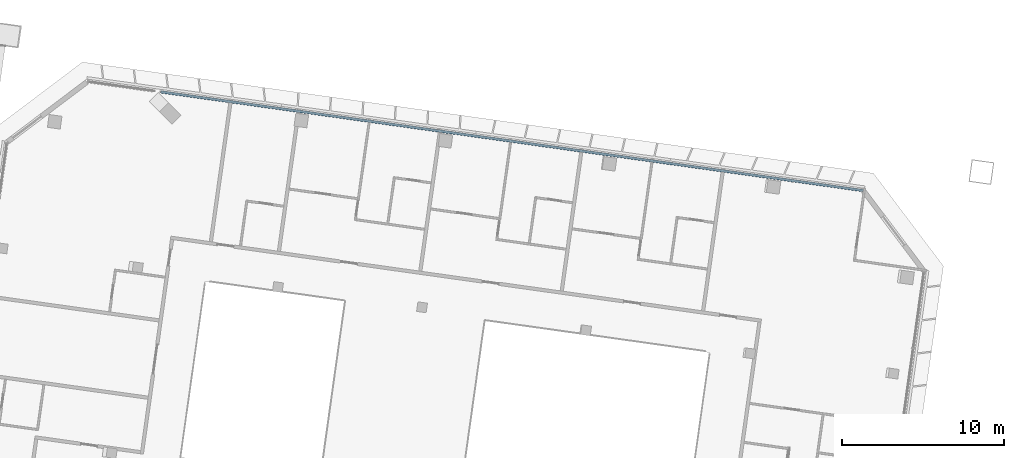
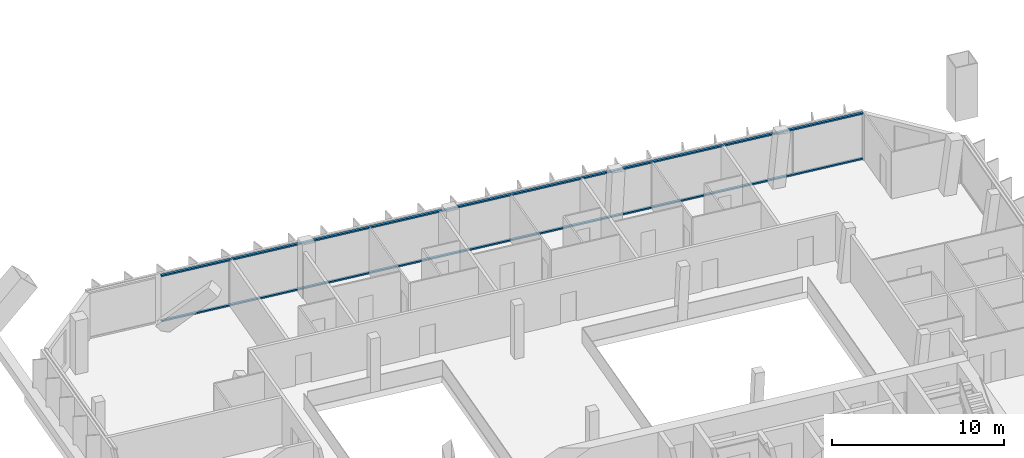
# One storey, part 7 of 29: 2 members, 1 element without a shape of its own.
"""IFC4 building model written with IfcOpenShell, lengths in metres."""

import ifcopenshell
import ifcopenshell.guid

model = None  # the IFC model being written
_history = None  # IfcOwnerHistory: only IFC2X3 demands one
_inside = {}  # id of a spatial element -> (the spatial element, [elements in it])
_under = {}  # id of a project, library or spatial element -> (it, [spatial elements below it])
_declared = {}  # id of a project -> (the project, [libraries it declares])
_typed = {}  # id of a type object -> (the type object, [elements of that type])
_made_of = {}  # id of a material, layer set ... -> (it, [elements and type objects made of it])


def new_model(schema):
    """Start an empty IFC model of exactly this schema.

    Asked for "IFC4X3", IfcOpenShell would pick the latest addendum, in which some entities
    have other attributes; the version numbers below select the first issue.
    IFC2X3 requires an IfcOwnerHistory on every rooted entity: one is made here for all.
    """
    global model, _history
    if schema == "IFC4X3":
        model = ifcopenshell.file(schema_version=(4, 3, 0, 0))
    else:
        model = ifcopenshell.file(schema=schema)
    _inside.clear()
    _under.clear()
    _declared.clear()
    _typed.clear()
    _made_of.clear()
    _history = None
    if model.schema == "IFC2X3":
        org = make("IfcOrganization", Name="unknown")
        user = make(
            "IfcPersonAndOrganization",
            ThePerson=make("IfcPerson", FamilyName="unknown"),
            TheOrganization=org,
        )
        app = make(
            "IfcApplication",
            ApplicationDeveloper=org,
            Version="unknown",
            ApplicationFullName="unknown",
            ApplicationIdentifier="unknown",
        )
        _history = make(
            "IfcOwnerHistory",
            OwningUser=user,
            OwningApplication=app,
            ChangeAction="ADDED",
            CreationDate=0,
        )
    return model


def make(cls, **values):
    """One entity of the class cls with the attributes given. An attribute that is None is left unset."""
    return model.create_entity(
        cls, **{name: value for name, value in values.items() if value is not None}
    )


def rooted(cls, **values):
    """An entity with a GlobalId (a new one), such as an element, a storey or a relation."""
    return make(cls, GlobalId=ifcopenshell.guid.new(), OwnerHistory=_history, **values)


def si_unit(unit_type, name, prefix=None):
    """IfcSIUnit, for example si_unit("LENGTHUNIT", "METRE", prefix="MILLI")."""
    return make("IfcSIUnit", UnitType=unit_type, Prefix=prefix, Name=name)


def assignment(units):
    """IfcUnitAssignment: the units of a project."""
    return None if units is None else make("IfcUnitAssignment", Units=units)


def point(xyz):
    """IfcCartesianPoint."""
    return None if xyz is None else make("IfcCartesianPoint", Coordinates=xyz)


def direction(xyz):
    """IfcDirection."""
    return None if xyz is None else make("IfcDirection", DirectionRatios=xyz)


def frame(location, z_axis=None, x_axis=None):
    """IfcAxis2Placement3D, a coordinate frame: its origin and axes. An axis left out is left unset."""
    return make(
        "IfcAxis2Placement3D",
        Location=point(location),
        Axis=direction(z_axis),
        RefDirection=direction(x_axis),
    )


def frame_2d(location, x_axis=None):
    """IfcAxis2Placement2D, a coordinate frame in the plane: its origin and x axis."""
    return make(
        "IfcAxis2Placement2D", Location=point(location), RefDirection=direction(x_axis)
    )


def origin():
    """The frame at (0, 0, 0) with its axes left unset."""
    return frame((0.0, 0.0, 0.0))


def origin_2d():
    """The frame at (0, 0) in the plane with its x axis left unset."""
    return frame_2d((0.0, 0.0))


def place(relative_to, where):
    """IfcLocalPlacement: puts the frame where relative to a parent placement (None: the world)."""
    return make(
        "IfcLocalPlacement", PlacementRelTo=relative_to, RelativePlacement=where
    )


def context(
    kind, dimensions, precision=None, world=None, true_north=None, identifier=None
):
    """IfcGeometricRepresentationContext, for example the 3D "Model" context."""
    return make(
        "IfcGeometricRepresentationContext",
        ContextIdentifier=identifier,
        ContextType=kind,
        CoordinateSpaceDimension=dimensions,
        Precision=precision,
        WorldCoordinateSystem=world,
        TrueNorth=true_north,
    )


def subcontext(parent, identifier, kind, view, scale=None):
    """IfcGeometricRepresentationSubContext, for example "Body" below "Model"."""
    return make(
        "IfcGeometricRepresentationSubContext",
        ContextIdentifier=identifier,
        ContextType=kind,
        ParentContext=parent,
        TargetScale=scale,
        TargetView=view,
    )


def project(units=None, contexts=None):
    """IfcProject with its units and contexts."""
    return rooted(
        "IfcProject",
        Name="project",
        RepresentationContexts=contexts,
        UnitsInContext=assignment(units),
    )


def spatial(cls, under=None, at=None, **own):
    """A site, building, storey or space (cls), placed at a placement, below another one or the project."""
    s = rooted(cls, ObjectPlacement=at, **own)
    if under is not None:
        _under.setdefault(under.id(), (under, []))[1].append(s)
    return s


def profile(cls, at=None, kind="AREA", **sizes):
    """A parametric profile (cls). Its sizes go by their IFC names, for example OverallWidth=200.0."""
    return make(cls, ProfileType=kind, Position=at, **sizes)


def rectangle(**sizes):
    """IfcRectangleProfileDef."""
    return profile("IfcRectangleProfileDef", **sizes)


def extrude(swept, where, along, depth):
    """IfcExtrudedAreaSolid: the profile swept, set in the frame where, extruded along a direction by depth."""
    return make(
        "IfcExtrudedAreaSolid",
        SweptArea=swept,
        Position=where,
        ExtrudedDirection=direction(along),
        Depth=depth,
    )


def shape(context_of_items, identifier, shape_type, items):
    """IfcShapeRepresentation: the items that make up one representation, for example the "Body"."""
    return make(
        "IfcShapeRepresentation",
        ContextOfItems=context_of_items,
        RepresentationIdentifier=identifier,
        RepresentationType=shape_type,
        Items=items,
    )


def material(Name=None, Category=None):
    """IfcMaterial."""
    return make("IfcMaterial", Name=Name, Category=Category)


def material_profile(
    of_material, cross_section, Name=None, Category=None, Priority=None
):
    """IfcMaterialProfile: a cross section and its material."""
    return make(
        "IfcMaterialProfile",
        Name=Name,
        Material=of_material,
        Profile=cross_section,
        Priority=Priority,
        Category=Category,
    )


def profile_set(profiles, Name=None, composite=None):
    """IfcMaterialProfileSet."""
    return make(
        "IfcMaterialProfileSet",
        Name=Name,
        MaterialProfiles=profiles,
        CompositeProfile=composite,
    )


def made_of(thing, what):
    """Note that an element or type object is made of a material, layer set ...; save() writes the relation."""
    if what is not None:
        _made_of.setdefault(what.id(), (what, []))[1].append(thing)
    return thing


def type_object(cls, material=None, **own):
    """A type object (cls), such as IfcWallType, which elements share."""
    return made_of(rooted(cls, **own), material)


def element(
    cls,
    number,
    at=None,
    inside=None,
    cuts=None,
    type_object=None,
    material=None,
    context=None,
    identifier="Body",
    shape_type=None,
    held_by="IfcProductDefinitionShape",
    body=None,
    shapes=None,
    **own,
):
    """One element of the class cls, such as IfcWall. Its Tag is "e" and its number.

    at: its placement. inside: the storey or other place that contains it. cuts: it is an
    opening in that element (IfcRelVoidsElement). A single representation is given by context,
    identifier, shape_type and body (its items); several are given by shapes. held_by: the class
    of the entity that holds the representations. save() writes the other relations.
    """
    e = rooted(cls, Tag="e%d" % number, ObjectPlacement=at, **own)
    if body is not None:
        shapes = [shape(context, identifier, shape_type, body)]
    if shapes is not None:
        e.Representation = make(held_by, Representations=shapes)
    if inside is not None:
        _inside.setdefault(inside.id(), (inside, []))[1].append(e)
    if cuts is not None:
        rooted(
            "IfcRelVoidsElement", RelatingBuildingElement=cuts, RelatedOpeningElement=e
        )
    if type_object is not None:
        _typed.setdefault(type_object.id(), (type_object, []))[1].append(e)
    return made_of(e, material)


def aggregate(whole, parts):
    """IfcRelAggregates: a whole, such as a stair, and the parts it consists of."""
    return rooted("IfcRelAggregates", RelatingObject=whole, RelatedObjects=parts)


def save(model, path):
    """Write the relations noted so far, then the file.

    IfcRelAggregates (storeys below a building ...), IfcRelContainedInSpatialStructure (elements
    in a storey), IfcRelDefinesByType, IfcRelAssociatesMaterial and IfcRelDeclares: one each for
    every whole, place, type object, material and project.
    """
    for whole, parts in _under.values():
        aggregate(whole, parts)
    for where, things in _inside.values():
        rooted(
            "IfcRelContainedInSpatialStructure",
            RelatedElements=things,
            RelatingStructure=where,
        )
    for kind, things in _typed.values():
        rooted("IfcRelDefinesByType", RelatedObjects=things, RelatingType=kind)
    for what, things in _made_of.values():
        rooted("IfcRelAssociatesMaterial", RelatedObjects=things, RelatingMaterial=what)
    for by, libraries in _declared.values():
        rooted("IfcRelDeclares", RelatingContext=by, RelatedDefinitions=libraries)
    model.write(path)


model = new_model("IFC4")

# Units and contexts
model_context = context("Model", 3, precision=1e-05, world=origin(), true_north=direction((0.0, 1.0)))
body_context = subcontext(model_context, "Body", "Model", "MODEL_VIEW")
ifc_project = project(units=[si_unit("LENGTHUNIT", "METRE"), si_unit("AREAUNIT", "SQUARE_METRE"), si_unit("VOLUMEUNIT", "CUBIC_METRE"), si_unit("PLANEANGLEUNIT", "RADIAN"), si_unit("MASSUNIT", "GRAM", prefix="KILO")], contexts=[model_context])

# Site, building, storey
site_placement = place(None, origin())
site = spatial("IfcSite", under=ifc_project, at=site_placement, CompositionType="ELEMENT")
building_placement = place(site_placement, origin())
building = spatial("IfcBuilding", under=site, at=building_placement, Name="Mirante Cascada Hotel Towers", CompositionType="ELEMENT")
storey_placement = place(building_placement, frame((0.0, 0.0, 206.8)))
storey = spatial("IfcBuildingStorey", under=building, at=storey_placement, Name="L49", CompositionType="ELEMENT", Elevation=206.8)

# Curtain wall, members
ifc_material_1 = material(Name="Aluminium mullion and transom frame with clear laminated glass", Category="aluminium")
curtain_wall_type = type_object("IfcCurtainWallType", Name="Ribbon curtain wall ECW1", PredefinedType="NOTDEFINED", material=ifc_material_1)
curtain_wall_placement = place(storey_placement, origin())
curtain_wall = element("IfcCurtainWall", 1, at=curtain_wall_placement, inside=storey, type_object=curtain_wall_type, Name="Front ribbon wall T1 L49", PredefinedType="NOTDEFINED")
ifc_material_2 = material(Name="Anodised aluminium extrusion", Category="aluminium")
ifc_material_profile = material_profile(ifc_material_2, rectangle(XDim=0.16, YDim=0.1, at=origin_2d()), Name="ECW1 TRANSOM 100x160")
ifc_profile_set = profile_set([ifc_material_profile], Name="Anodised aluminium extrusion")
member_type = type_object("IfcMemberType", Name="ECW1 transom 100x160", PredefinedType="USERDEFINED", material=ifc_profile_set)
member_1_placement = place(storey_placement, frame((-71.801, 22.91, 0.05), z_axis=(0.990268, -0.1391736, 0.0), x_axis=(0.1391736, 0.990268, 0.0)))
member_1 = element("IfcMember", 2, at=member_1_placement, type_object=member_type, Name="ECW1 sill transom", ObjectType="TRANSOM", PredefinedType="USERDEFINED", context=body_context, shape_type="SweptSolid", body=[
    extrude(rectangle(XDim=0.16, YDim=0.1, at=origin_2d()), origin(), (0.0, 0.0, 1.0), 43.8855),
])
member_2_placement = place(storey_placement, frame((-71.801, 22.91, 3.25), z_axis=(0.990268, -0.1391736, 0.0), x_axis=(0.1391736, 0.990268, 0.0)))
member_2 = element("IfcMember", 3, at=member_2_placement, type_object=member_type, Name="ECW1 head transom", ObjectType="TRANSOM", PredefinedType="USERDEFINED", context=body_context, shape_type="SweptSolid", body=[
    extrude(rectangle(XDim=0.16, YDim=0.1, at=origin_2d()), origin(), (0.0, 0.0, 1.0), 43.8855),
])
aggregate(curtain_wall, [member_1, member_2])

save(model, "model.ifc")
